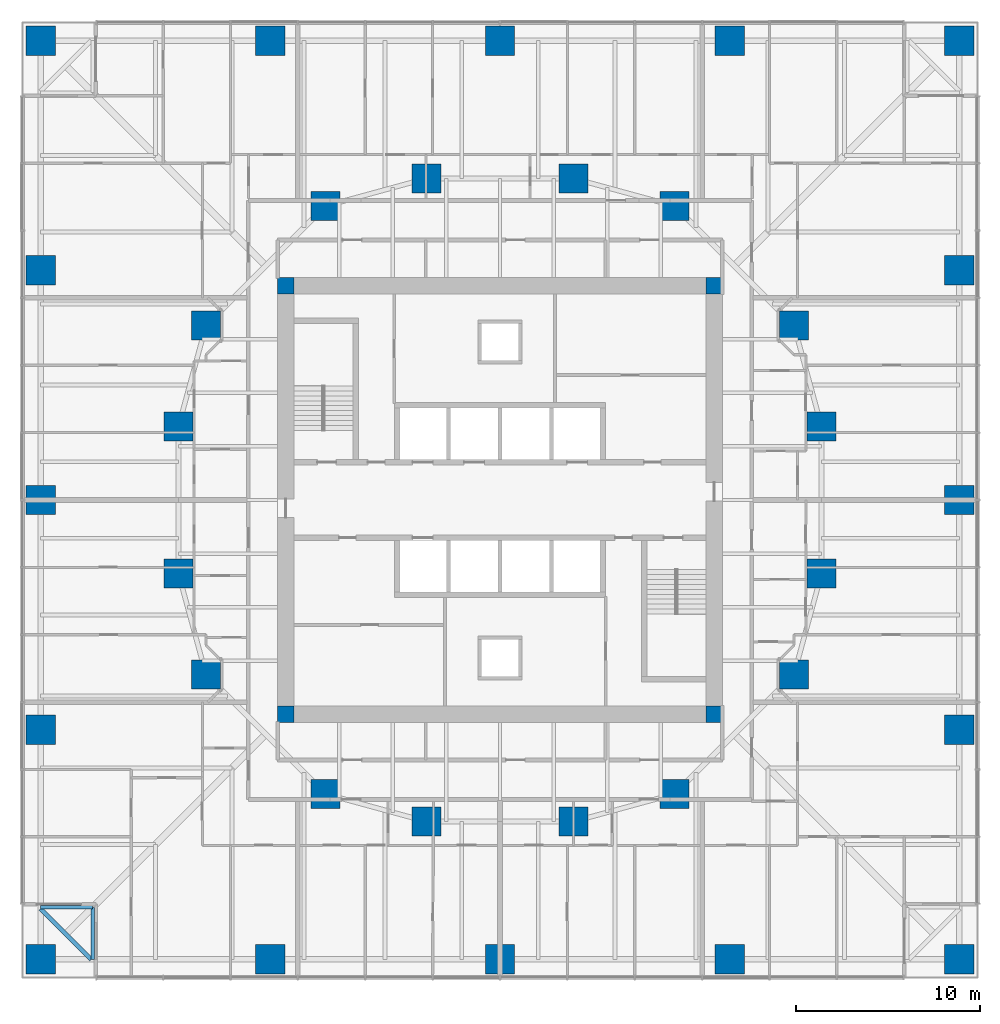
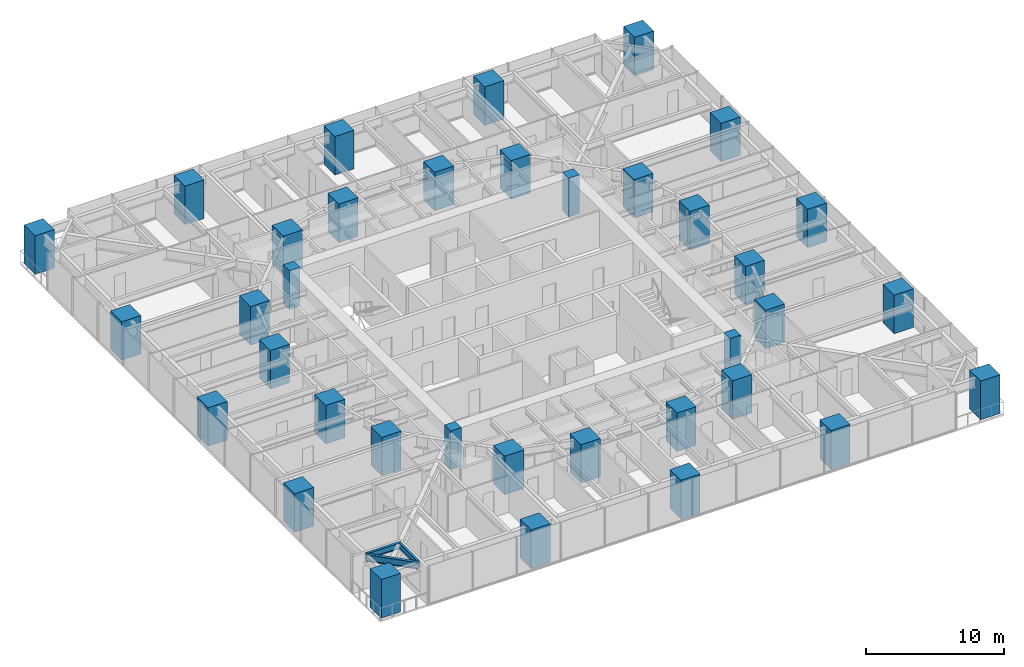
# One storey, part 1 of 18: 36 columns, 3 beams.
"""IFC4 building model written with IfcOpenShell, lengths in metres."""

from ifc_helpers import new_model, si_unit, direction, frame, origin, origin_2d, place, context, subcontext, project, spatial, rectangle, i_section, extrude, material, material_profile, profile_set, type_object, element, save


model = new_model("IFC4")

# Units and contexts
model_context = context("Model", 3, precision=1e-05, world=origin(), true_north=direction((0.0, 1.0)))
body_context = subcontext(model_context, "Body", "Model", "MODEL_VIEW")
ifc_project = project(units=[si_unit("LENGTHUNIT", "METRE"), si_unit("AREAUNIT", "SQUARE_METRE"), si_unit("VOLUMEUNIT", "CUBIC_METRE"), si_unit("PLANEANGLEUNIT", "RADIAN"), si_unit("MASSUNIT", "GRAM", prefix="KILO")], contexts=[model_context])

# Site, building, storey
site_placement = place(None, origin())
site = spatial("IfcSite", under=ifc_project, at=site_placement, CompositionType="ELEMENT")
building_placement = place(site_placement, origin())
building = spatial("IfcBuilding", under=site, at=building_placement, Name="Torsade Residences", CompositionType="ELEMENT")
storey_placement = place(building_placement, frame((0.0, 0.0, 28.60009765625)))
storey = spatial("IfcBuildingStorey", under=building, at=storey_placement, Name="L07", CompositionType="ELEMENT", Elevation=28.60009765625)

# Columns
ifc_material_1 = material(Name="Concrete 80 MPa", Category="concrete")
ifc_material_profile_1 = material_profile(ifc_material_1, rectangle(XDim=0.89990234375, YDim=0.89990234375, at=origin_2d()), Name="RC 900x900")
ifc_profile_set_1 = profile_set([ifc_material_profile_1], Name="Concrete 80 MPa")
column_type_1 = type_object("IfcColumnType", Name="CORE CORNER COLUMN RC 900x900", PredefinedType="COLUMN", material=ifc_profile_set_1)
for number, where, z_axis, x_axis, name in (
    (1, (28.35009765625, 18.35009765625, 0.0), (0.0, 0.0, 1.0), (1.0, 0.0, 0.0), "Core corner column CC1 L07"),
    (2, (51.64990234375, 18.35009765625, 0.0), (0.0, 0.0, 1.0), (1.0, 0.0, 0.0), "Core corner column CC2 L07"),
    (3, (51.64990234375, 41.64990234375, 0.0), (0.0, 0.0, 1.0), (1.0, 0.0, 0.0), "Core corner column CC3 L07"),
    (4, (28.35009765625, 41.64990234375, 0.0), (0.0, 0.0, 1.0), (1.0, 0.0, 0.0), "Core corner column CC4 L07"),
):
    element("IfcColumn", number, at=place(storey_placement, frame(where, z_axis=z_axis, x_axis=x_axis)), inside=storey, type_object=column_type_1, Name=name, PredefinedType="COLUMN", context=body_context, shape_type="SweptSolid", body=[
        extrude(rectangle(XDim=0.89990234375, YDim=0.89990234375, at=origin_2d()), origin(), (0.0, 0.0, 1.0), 3.39990234375),
    ])
ifc_material_2 = material(Name="Concrete 80 MPa", Category="concrete")
ifc_material_profile_2 = material_profile(ifc_material_2, rectangle(XDim=1.60009765625, YDim=1.60009765625, at=origin_2d()), Name="RC 1600x1600")
ifc_profile_set_2 = profile_set([ifc_material_profile_2], Name="Concrete 80 MPa")
column_type_2 = type_object("IfcColumnType", Name="INNER RING COLUMN RC 1600x1600", PredefinedType="COLUMN", material=ifc_profile_set_2)
for number, where, z_axis, x_axis, name in (
    (5, (57.5, 26.0, 0.0), (0.0, 0.0, 1.0), (1.0, 0.0, 0.0), "Inner ring column IR01 L07"),
    (6, (57.5, 34.0, 0.0), (0.0, 0.0, 1.0), (1.0, 0.0, 0.0), "Inner ring column IR02 L07"),
    (7, (56.0, 39.5, 0.0), (0.0, 0.0, 1.0), (1.0, 0.0, 0.0), "Inner ring column IR03 L07"),
    (8, (49.5, 46.0, 0.0), (0.0, 0.0, 1.0), (1.0, 0.0, 0.0), "Inner ring column IR04 L07"),
    (9, (44.0, 47.5, 0.0), (0.0, 0.0, 1.0), (1.0, 0.0, 0.0), "Inner ring column IR05 L07"),
    (10, (36.0, 47.5, 0.0), (0.0, 0.0, 1.0), (1.0, 0.0, 0.0), "Inner ring column IR06 L07"),
    (11, (30.5, 46.0, 0.0), (0.0, 0.0, 1.0), (1.0, 0.0, 0.0), "Inner ring column IR07 L07"),
    (12, (24.0, 39.5, 0.0), (0.0, 0.0, 1.0), (1.0, 0.0, 0.0), "Inner ring column IR08 L07"),
    (13, (22.5, 34.0, 0.0), (0.0, 0.0, 1.0), (1.0, 0.0, 0.0), "Inner ring column IR09 L07"),
    (14, (22.5, 26.0, 0.0), (0.0, 0.0, 1.0), (1.0, 0.0, 0.0), "Inner ring column IR10 L07"),
    (15, (24.0, 20.5, 0.0), (0.0, 0.0, 1.0), (1.0, 0.0, 0.0), "Inner ring column IR11 L07"),
    (16, (30.5, 14.0, 0.0), (0.0, 0.0, 1.0), (1.0, 0.0, 0.0), "Inner ring column IR12 L07"),
    (17, (36.0, 12.5, 0.0), (0.0, 0.0, 1.0), (1.0, 0.0, 0.0), "Inner ring column IR13 L07"),
    (18, (44.0, 12.5, 0.0), (0.0, 0.0, 1.0), (1.0, 0.0, 0.0), "Inner ring column IR14 L07"),
    (19, (49.5, 14.0, 0.0), (0.0, 0.0, 1.0), (1.0, 0.0, 0.0), "Inner ring column IR15 L07"),
    (20, (56.0, 20.5, 0.0), (0.0, 0.0, 1.0), (1.0, 0.0, 0.0), "Inner ring column IR16 L07"),
):
    element("IfcColumn", number, at=place(storey_placement, frame(where, z_axis=z_axis, x_axis=x_axis)), inside=storey, type_object=column_type_2, Name=name, PredefinedType="COLUMN", context=body_context, shape_type="SweptSolid", body=[
        extrude(rectangle(XDim=1.60009765625, YDim=1.60009765625, at=origin_2d()), origin(), (0.0, 0.0, 1.0), 3.39990234375),
    ])
ifc_material_3 = material(Name="Concrete 80 MPa", Category="concrete")
ifc_material_profile_3 = material_profile(ifc_material_3, rectangle(XDim=1.60009765625, YDim=1.60009765625, at=origin_2d()), Name="RC 1600x1600")
ifc_profile_set_3 = profile_set([ifc_material_profile_3], Name="Concrete 80 MPa")
column_type_3 = type_object("IfcColumnType", Name="TOWER COLUMN RC 1600x1600", PredefinedType="COLUMN", material=ifc_profile_set_3)
for number, where, z_axis, x_axis, name in (
    (21, (15.0, 5.0, 0.0), (0.0, 0.0, 1.0), (1.0, 0.0, 0.0), "Column TC1-01 L07"),
    (22, (27.5, 5.0, 0.0), (0.0, 0.0, 1.0), (1.0, 0.0, 0.0), "Column TC1-02 L07"),
    (23, (40.0, 5.0, 0.0), (0.0, 0.0, 1.0), (1.0, 0.0, 0.0), "Column TC1-03 L07"),
    (24, (52.5, 5.0, 0.0), (0.0, 0.0, 1.0), (1.0, 0.0, 0.0), "Column TC1-04 L07"),
    (25, (65.0, 5.0, 0.0), (0.0, 0.0, 1.0), (1.0, 0.0, 0.0), "Column TC1-05 L07"),
    (26, (65.0, 17.5, 0.0), (0.0, 0.0, 1.0), (1.0, 0.0, 0.0), "Column TC1-06 L07"),
    (27, (65.0, 30.0, 0.0), (0.0, 0.0, 1.0), (1.0, 0.0, 0.0), "Column TC1-07 L07"),
    (28, (65.0, 42.5, 0.0), (0.0, 0.0, 1.0), (1.0, 0.0, 0.0), "Column TC1-08 L07"),
    (29, (65.0, 55.0, 0.0), (0.0, 0.0, 1.0), (1.0, 0.0, 0.0), "Column TC1-09 L07"),
    (30, (52.5, 55.0, 0.0), (0.0, 0.0, 1.0), (1.0, 0.0, 0.0), "Column TC1-10 L07"),
    (31, (40.0, 55.0, 0.0), (0.0, 0.0, 1.0), (1.0, 0.0, 0.0), "Column TC1-11 L07"),
    (32, (27.5, 55.0, 0.0), (0.0, 0.0, 1.0), (1.0, 0.0, 0.0), "Column TC1-12 L07"),
    (33, (15.0, 55.0, 0.0), (0.0, 0.0, 1.0), (1.0, 0.0, 0.0), "Column TC1-13 L07"),
    (34, (15.0, 42.5, 0.0), (0.0, 0.0, 1.0), (1.0, 0.0, 0.0), "Column TC1-14 L07"),
    (35, (15.0, 30.0, 0.0), (0.0, 0.0, 1.0), (1.0, 0.0, 0.0), "Column TC1-15 L07"),
    (36, (15.0, 17.5, 0.0), (0.0, 0.0, 1.0), (1.0, 0.0, 0.0), "Column TC1-16 L07"),
):
    element("IfcColumn", number, at=place(storey_placement, frame(where, z_axis=z_axis, x_axis=x_axis)), inside=storey, type_object=column_type_3, Name=name, PredefinedType="COLUMN", context=body_context, shape_type="SweptSolid", body=[
        extrude(rectangle(XDim=1.60009765625, YDim=1.60009765625, at=origin_2d()), origin(), (0.0, 0.0, 1.0), 3.39990234375),
    ])

# Beams
ifc_material_4 = material(Name="Steel grade 300", Category="steel")
ifc_material_profile_4 = material_profile(ifc_material_4, i_section(OverallWidth=0.22802734375, OverallDepth=0.60205078125, WebThickness=0.010498046875, FlangeThickness=0.014892578125, FilletRadius=0.013916015625, at=origin_2d()), Name="610UB101")
ifc_profile_set_4 = profile_set([ifc_material_profile_4], Name="Steel grade 300")
beam_type_1 = type_object("IfcBeamType", Name="CORNER TRIMMER 610UB101", PredefinedType="BEAM", material=ifc_profile_set_4)
beam_placement = place(storey_placement, frame((17.75, 5.0, 2.948974609375), z_axis=(-0.707106781187, 0.707106781187, 0.0), x_axis=(-0.707106781187, -0.707106781187, 0.0)))
element("IfcBeam", 37, at=beam_placement, inside=storey, type_object=beam_type_1, Name="Corner trimmer 01 L08", PredefinedType="BEAM", context=body_context, shape_type="SweptSolid", body=[
    extrude(i_section(OverallWidth=0.22802734375, OverallDepth=0.60205078125, WebThickness=0.010498046875, FlangeThickness=0.014892578125, FilletRadius=0.013916015625, at=origin_2d()), origin(), (0.0, 0.0, 1.0), 3.88916015625),
])
ifc_material_5 = material(Name="Steel grade 300", Category="steel")
ifc_material_profile_5 = material_profile(ifc_material_5, i_section(OverallWidth=0.208984375, OverallDepth=0.528076171875, WebThickness=0.009521484375, FlangeThickness=0.01318359375, FilletRadius=0.013916015625, at=origin_2d()), Name="530UB82.0")
ifc_profile_set_5 = profile_set([ifc_material_profile_5], Name="Steel grade 300")
beam_type_2 = type_object("IfcBeamType", Name="SECONDARY BEAM 530UB82.0", PredefinedType="JOIST", material=ifc_profile_set_5)
for number, where, z_axis, x_axis, name in (
    (38, (17.833251953125, 5.0, 2.98583984375), (0.0, 1.0, 0.0), (-1.0, 0.0, 0.0), "Floor beam FS01 L08"),
    (39, (15.0, 7.833251953125, 2.98583984375), (1.0, 0.0, 0.0), (0.0, 1.0, 0.0), "Floor beam FW12 L08"),
):
    element("IfcBeam", number, at=place(storey_placement, frame(where, z_axis=z_axis, x_axis=x_axis)), inside=storey, type_object=beam_type_2, Name=name, PredefinedType="JOIST", context=body_context, shape_type="SweptSolid", body=[
        extrude(i_section(OverallWidth=0.208984375, OverallDepth=0.528076171875, WebThickness=0.009521484375, FlangeThickness=0.01318359375, FilletRadius=0.013916015625, at=origin_2d()), origin(), (0.0, 0.0, 1.0), 2.833251953125),
    ])

save(model, "model.ifc")
